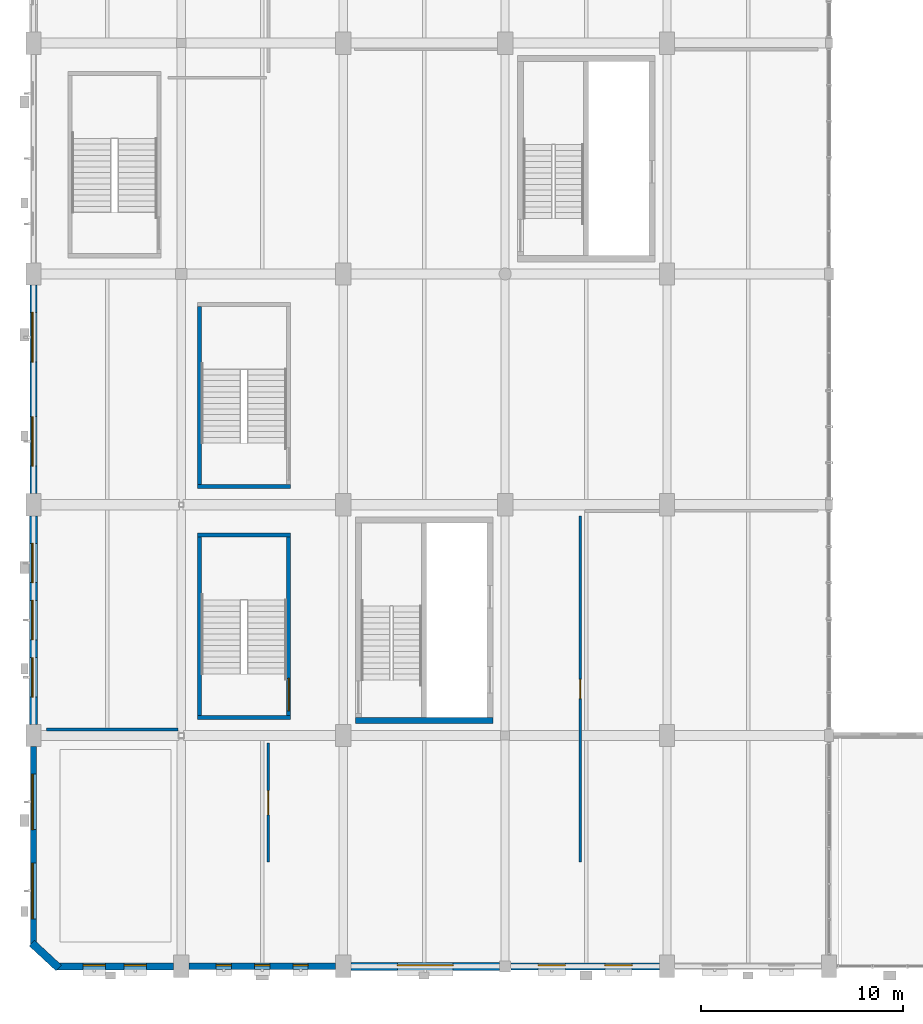
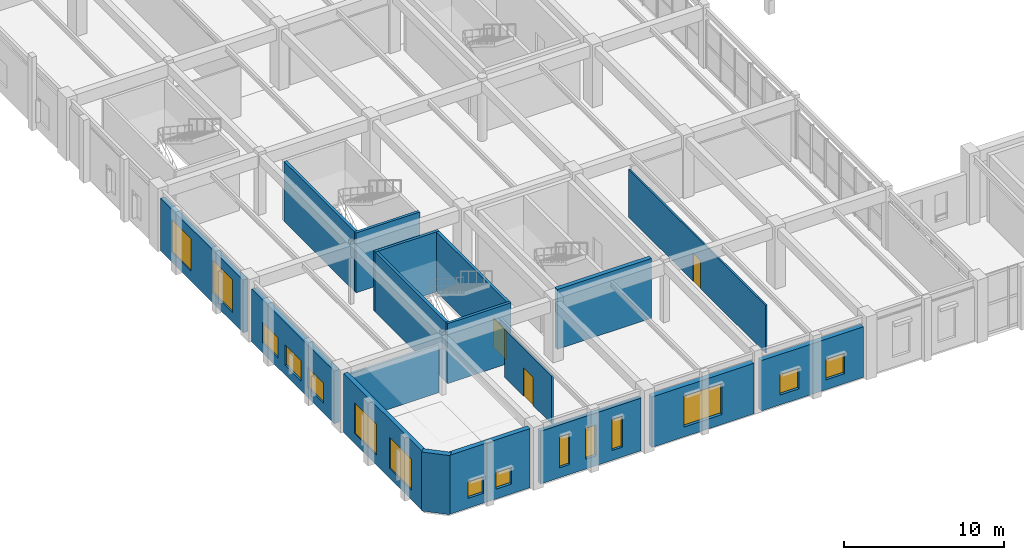
# One storey, part 79 of 106: 18 walls, 15 windows, 3 doors, 18 openings.
"""IFC4 building model written with IfcOpenShell, lengths in metres."""

from ifc_helpers import new_model, si_unit, direction, frame, frame_2d, origin, place, context, subcontext, project, spatial, rectangle, extrude, material, layer, layer_set, type_object, element, fill, save


model = new_model("IFC4")

# Units and contexts
model_context = context("Model", 3, precision=1e-05, world=origin(), true_north=direction((0.0, 1.0)))
body_context = subcontext(model_context, "Body", "Model", "MODEL_VIEW")
ifc_project = project(units=[si_unit("LENGTHUNIT", "METRE"), si_unit("AREAUNIT", "SQUARE_METRE"), si_unit("VOLUMEUNIT", "CUBIC_METRE"), si_unit("PLANEANGLEUNIT", "RADIAN"), si_unit("MASSUNIT", "GRAM", prefix="KILO"), si_unit("POWERUNIT", "WATT"), si_unit("THERMODYNAMICTEMPERATUREUNIT", "KELVIN")], contexts=[model_context])

# Site, building, storey
site_placement = place(None, origin())
site = spatial("IfcSite", under=ifc_project, at=site_placement, CompositionType="ELEMENT")
building_placement = place(site_placement, origin())
building = spatial("IfcBuilding", under=site, at=building_placement, Name="Kelmbourne Parkland Aquatics Centre", CompositionType="ELEMENT")
storey_placement = place(building_placement, frame((0.0, 0.0, 5.39990234375)))
storey = spatial("IfcBuildingStorey", under=building, at=storey_placement, Name="L01", CompositionType="ELEMENT", Elevation=5.39990234375)

# Wall
ifc_material_1 = material(Name="Concrete C40/50", Category="concrete")
ifc_layer_1 = layer(ifc_material_1, 0.300048828125)
ifc_layer_set_1 = layer_set([ifc_layer_1], Name="Concrete C40/50")
wall_type_1 = type_object("IfcWallType", Name="W-CORE-300", PredefinedType="SHEAR", material=ifc_layer_set_1)
wall_1_placement = place(storey_placement, frame((16.60009765625, 12.949951171875, 0.0), z_axis=(0.0, 0.0, 1.0), x_axis=(1.0, 0.0, 0.0)))
element("IfcWall", 1, at=wall_1_placement, inside=storey, type_object=wall_type_1, Name="West Wing South Fire-Fighting Core south wall (L01)", PredefinedType="SHEAR", context=body_context, shape_type="SweptSolid", body=[
    extrude(rectangle(XDim=6.7998046875, YDim=0.300048828125, at=frame_2d((3.39990234375, 0.0))), origin(), (0.0, 0.0, 1.0), 4.56005859375),
])

# Wall, openings, windows
ifc_material_2 = material(Name="Russet clinker clay brickwork", Category="masonry")
ifc_layer_2 = layer(ifc_material_2, 0.31005859375)
ifc_layer_set_2 = layer_set([ifc_layer_2], Name="Russet clinker clay brickwork")
wall_type_2 = type_object("IfcWallType", Name="W-EXT-310", PredefinedType="STANDARD", material=ifc_layer_set_2)
wall_2_placement = place(storey_placement, frame((0.699951171875, 1.800048828125, 0.0), z_axis=(0.0, 0.0, 1.0), x_axis=(0.0, 1.0, 0.0)))
wall_2 = element("IfcWall", 2, at=wall_2_placement, inside=storey, type_object=wall_type_2, Name="Exterior polychrome brick wall EW-L01-056", PredefinedType="STANDARD", context=body_context, shape_type="SweptSolid", body=[
    extrude(rectangle(XDim=9.847900390625, YDim=0.31005859375, at=frame_2d((4.923828125, 0.0))), origin(), (0.0, 0.0, 1.0), 4.5),
])
opening_1_placement = place(wall_2_placement, frame((1.35009765625, 0.0, 0.75)))
opening_1 = element("IfcOpeningElement", 3, at=opening_1_placement, cuts=wall_2, Name="Opening W20", PredefinedType="OPENING", context=body_context, shape_type="SweptSolid", body=[
    extrude(rectangle(XDim=2.75, YDim=2.35009765625, at=frame_2d((1.375, 1.175048828125))), frame((0.0, 0.1669921875, 0.0), z_axis=(0.0, -1.0, 0.0), x_axis=(1.0, 0.0, 0.0)), (0.0, 0.0, 1.0), 0.333984375),
])
opening_2_placement = place(wall_2_placement, frame((5.748046875, 0.0, 0.75)))
opening_2 = element("IfcOpeningElement", 4, at=opening_2_placement, cuts=wall_2, Name="Opening W20", PredefinedType="OPENING", context=body_context, shape_type="SweptSolid", body=[
    extrude(rectangle(XDim=2.75, YDim=2.35009765625, at=frame_2d((1.375, 1.175048828125))), frame((0.0, 0.1669921875, 0.0), z_axis=(0.0, -1.0, 0.0), x_axis=(1.0, 0.0, 0.0)), (0.0, 0.0, 1.0), 0.333984375),
])
ifc_material_3 = material(Name="Thermally broken anodised aluminium window with low-e glass", Category="aluminium")
ifc_layer_3 = layer(ifc_material_3, 0.090087890625)
ifc_layer_set_3 = layer_set([ifc_layer_3], Name="Thermally broken anodised aluminium window with low-e glass")
window_type_1 = type_object("IfcWindowType", Name="WN-20", PartitioningType="TRIPLE_PANEL_VERTICAL", PredefinedType="WINDOW", material=ifc_layer_set_3)
window_1_placement = place(opening_1_placement, origin())
window_1 = element("IfcWindow", 5, at=window_1_placement, inside=storey, type_object=window_type_1, Name="Deep-reveal masonry window W20", OverallHeight=2.35009765625, OverallWidth=2.75, PartitioningType="TRIPLE_PANEL_VERTICAL", PredefinedType="WINDOW", context=body_context, shape_type="SweptSolid", body=[
    extrude(rectangle(XDim=2.75, YDim=2.35009765625, at=frame_2d((1.375, 1.175048828125))), frame((0.0, 0.080078125, 0.0), z_axis=(0.0, -1.0, 0.0), x_axis=(1.0, 0.0, 0.0)), (0.0, 0.0, 1.0), 0.06005859375),
])
fill(opening_1, window_1)
window_2_placement = place(opening_2_placement, origin())
window_2 = element("IfcWindow", 6, at=window_2_placement, inside=storey, type_object=window_type_1, Name="Deep-reveal masonry window W20", OverallHeight=2.35009765625, OverallWidth=2.75, PartitioningType="TRIPLE_PANEL_VERTICAL", PredefinedType="WINDOW", context=body_context, shape_type="SweptSolid", body=[
    extrude(rectangle(XDim=2.75, YDim=2.35009765625, at=frame_2d((1.375, 1.175048828125))), frame((0.0, 0.080078125, 0.0), z_axis=(0.0, -1.0, 0.0), x_axis=(1.0, 0.0, 0.0)), (0.0, 0.0, 1.0), 0.06005859375),
])
fill(opening_2, window_2)

wall_3_placement = place(storey_placement, frame((8.376953125, 0.800048828125, 0.0), z_axis=(0.0, 0.0, 1.0), x_axis=(1.0, 0.0, 0.0)))
wall_3 = element("IfcWall", 7, at=wall_3_placement, inside=storey, type_object=wall_type_2, Name="Exterior polychrome brick wall EW-L01-065", PredefinedType="STANDARD", context=body_context, shape_type="SweptSolid", body=[
    extrude(rectangle(XDim=7.24609375, YDim=0.31005859375, at=frame_2d((3.623046875, 0.0))), origin(), (0.0, 0.0, 1.0), 4.01220703125),
])
opening_3_placement = place(wall_3_placement, frame((1.35009765625, 0.0, 0.75)))
opening_3 = element("IfcOpeningElement", 8, at=opening_3_placement, cuts=wall_3, Name="Opening W16", PredefinedType="OPENING", context=body_context, shape_type="SweptSolid", body=[
    extrude(rectangle(XDim=0.75, YDim=2.35009765625, at=frame_2d((0.375, 1.175048828125))), frame((0.0, 0.1669921875, 0.0), z_axis=(0.0, -1.0, 0.0), x_axis=(1.0, 0.0, 0.0)), (0.0, 0.0, 1.0), 0.333984375),
])
opening_4_placement = place(wall_3_placement, frame((3.248046875, 0.0, 0.75)))
opening_4 = element("IfcOpeningElement", 9, at=opening_4_placement, cuts=wall_3, Name="Opening W16", PredefinedType="OPENING", context=body_context, shape_type="SweptSolid", body=[
    extrude(rectangle(XDim=0.75, YDim=2.35009765625, at=frame_2d((0.375, 1.175048828125))), frame((0.0, 0.1669921875, 0.0), z_axis=(0.0, -1.0, 0.0), x_axis=(1.0, 0.0, 0.0)), (0.0, 0.0, 1.0), 0.333984375),
])
opening_5_placement = place(wall_3_placement, frame((5.14599609375, 0.0, 0.75)))
opening_5 = element("IfcOpeningElement", 10, at=opening_5_placement, cuts=wall_3, Name="Opening W16", PredefinedType="OPENING", context=body_context, shape_type="SweptSolid", body=[
    extrude(rectangle(XDim=0.75, YDim=2.35009765625, at=frame_2d((0.375, 1.175048828125))), frame((0.0, 0.1669921875, 0.0), z_axis=(0.0, -1.0, 0.0), x_axis=(1.0, 0.0, 0.0)), (0.0, 0.0, 1.0), 0.333984375),
])
ifc_layer_4 = layer(ifc_material_3, 0.090087890625)
ifc_layer_set_4 = layer_set([ifc_layer_4], Name="Thermally broken anodised aluminium window with low-e glass")
window_type_2 = type_object("IfcWindowType", Name="WN-16", PartitioningType="SINGLE_PANEL", PredefinedType="WINDOW", material=ifc_layer_set_4)
window_3_placement = place(opening_3_placement, origin())
window_3 = element("IfcWindow", 11, at=window_3_placement, inside=storey, type_object=window_type_2, Name="Deep-reveal masonry window W16", OverallHeight=2.35009765625, OverallWidth=0.75, PartitioningType="SINGLE_PANEL", PredefinedType="WINDOW", context=body_context, shape_type="SweptSolid", body=[
    extrude(rectangle(XDim=0.75, YDim=2.35009765625, at=frame_2d((0.375, 1.175048828125))), frame((0.0, 0.080078125, 0.0), z_axis=(0.0, -1.0, 0.0), x_axis=(1.0, 0.0, 0.0)), (0.0, 0.0, 1.0), 0.06005859375),
])
fill(opening_3, window_3)
window_4_placement = place(opening_4_placement, origin())
window_4 = element("IfcWindow", 12, at=window_4_placement, inside=storey, type_object=window_type_2, Name="Deep-reveal masonry window W16", OverallHeight=2.35009765625, OverallWidth=0.75, PartitioningType="SINGLE_PANEL", PredefinedType="WINDOW", context=body_context, shape_type="SweptSolid", body=[
    extrude(rectangle(XDim=0.75, YDim=2.35009765625, at=frame_2d((0.375, 1.175048828125))), frame((0.0, 0.080078125, 0.0), z_axis=(0.0, -1.0, 0.0), x_axis=(1.0, 0.0, 0.0)), (0.0, 0.0, 1.0), 0.06005859375),
])
fill(opening_4, window_4)
window_5_placement = place(opening_5_placement, origin())
window_5 = element("IfcWindow", 13, at=window_5_placement, inside=storey, type_object=window_type_2, Name="Deep-reveal masonry window W16", OverallHeight=2.35009765625, OverallWidth=0.75, PartitioningType="SINGLE_PANEL", PredefinedType="WINDOW", context=body_context, shape_type="SweptSolid", body=[
    extrude(rectangle(XDim=0.75, YDim=2.35009765625, at=frame_2d((0.375, 1.175048828125))), frame((0.0, 0.080078125, 0.0), z_axis=(0.0, -1.0, 0.0), x_axis=(1.0, 0.0, 0.0)), (0.0, 0.0, 1.0), 0.06005859375),
])
fill(opening_5, window_5)

ifc_material_4 = material(Name="Polychrome glazed brick header coursework", Category="masonry")
ifc_layer_5 = layer(ifc_material_4, 0.35009765625)
ifc_layer_set_5 = layer_set([ifc_layer_5], Name="Polychrome glazed brick header coursework")
wall_type_3 = type_object("IfcWallType", Name="W-EXT-350", PredefinedType="STANDARD", material=ifc_layer_set_5)
wall_4_placement = place(storey_placement, frame((0.699951171875, 24.152099609375, 0.0), z_axis=(0.0, 0.0, 1.0), x_axis=(0.0, 1.0, 0.0)))
wall_4 = element("IfcWall", 14, at=wall_4_placement, inside=storey, type_object=wall_type_3, Name="Exterior polychrome brick wall EW-L01-058", PredefinedType="STANDARD", context=body_context, shape_type="SweptSolid", body=[
    extrude(rectangle(XDim=10.2958984375, YDim=0.35009765625, at=frame_2d((5.14794921875, 0.0))), origin(), (0.0, 0.0, 1.0), 4.01220703125),
])
opening_6_placement = place(wall_4_placement, frame((1.35009765625, 0.0, 0.75)))
opening_6 = element("IfcOpeningElement", 15, at=opening_6_placement, cuts=wall_4, Name="Opening W27", PredefinedType="OPENING", context=body_context, shape_type="SweptSolid", body=[
    extrude(rectangle(XDim=2.449951171875, YDim=2.5, at=frame_2d((1.22509765625, 1.25))), frame((0.0, 0.18701171875, 0.0), z_axis=(0.0, -1.0, 0.0), x_axis=(1.0, 0.0, 0.0)), (0.0, 0.0, 1.0), 0.3740234375),
])
opening_7_placement = place(wall_4_placement, frame((6.49609375, 0.0, 0.75)))
opening_7 = element("IfcOpeningElement", 16, at=opening_7_placement, cuts=wall_4, Name="Opening W27", PredefinedType="OPENING", context=body_context, shape_type="SweptSolid", body=[
    extrude(rectangle(XDim=2.449951171875, YDim=2.5, at=frame_2d((1.22509765625, 1.25))), frame((0.0, 0.18701171875, 0.0), z_axis=(0.0, -1.0, 0.0), x_axis=(1.0, 0.0, 0.0)), (0.0, 0.0, 1.0), 0.3740234375),
])
ifc_layer_6 = layer(ifc_material_3, 0.090087890625)
ifc_layer_set_6 = layer_set([ifc_layer_6], Name="Thermally broken anodised aluminium window with low-e glass")
window_type_3 = type_object("IfcWindowType", Name="WN-27", PartitioningType="TRIPLE_PANEL_VERTICAL", PredefinedType="WINDOW", material=ifc_layer_set_6)
window_6_placement = place(opening_6_placement, origin())
window_6 = element("IfcWindow", 17, at=window_6_placement, inside=storey, type_object=window_type_3, Name="Deep-reveal masonry window W27", OverallHeight=2.5, OverallWidth=2.449951171875, PartitioningType="TRIPLE_PANEL_VERTICAL", PredefinedType="WINDOW", context=body_context, shape_type="SweptSolid", body=[
    extrude(rectangle(XDim=2.449951171875, YDim=2.5, at=frame_2d((1.22509765625, 1.25))), frame((0.0, 0.080078125, 0.0), z_axis=(0.0, -1.0, 0.0), x_axis=(1.0, 0.0, 0.0)), (0.0, 0.0, 1.0), 0.06005859375),
])
fill(opening_6, window_6)
window_7_placement = place(opening_7_placement, origin())
window_7 = element("IfcWindow", 18, at=window_7_placement, inside=storey, type_object=window_type_3, Name="Deep-reveal masonry window W27", OverallHeight=2.5, OverallWidth=2.449951171875, PartitioningType="TRIPLE_PANEL_VERTICAL", PredefinedType="WINDOW", context=body_context, shape_type="SweptSolid", body=[
    extrude(rectangle(XDim=2.449951171875, YDim=2.5, at=frame_2d((1.22509765625, 1.25))), frame((0.0, 0.080078125, 0.0), z_axis=(0.0, -1.0, 0.0), x_axis=(1.0, 0.0, 0.0)), (0.0, 0.0, 1.0), 0.06005859375),
])
fill(opening_7, window_7)

wall_5_placement = place(storey_placement, frame((1.800048828125, 0.800048828125, 0.0), z_axis=(0.0, 0.0, 1.0), x_axis=(1.0, 0.0, 0.0)))
wall_5 = element("IfcWall", 19, at=wall_5_placement, inside=storey, type_object=wall_type_3, Name="Exterior polychrome brick wall EW-L01-064", PredefinedType="STANDARD", context=body_context, shape_type="SweptSolid", body=[
    extrude(rectangle(XDim=5.822998046875, YDim=0.35009765625, at=frame_2d((2.91162109375, 0.0))), origin(), (0.0, 0.0, 1.0), 4.5),
])
opening_8_placement = place(wall_5_placement, frame((1.35009765625, 0.0, 0.75)))
opening_8 = element("IfcOpeningElement", 20, at=opening_8_placement, cuts=wall_5, Name="Opening W13", PredefinedType="OPENING", context=body_context, shape_type="SweptSolid", body=[
    extrude(rectangle(XDim=1.10009765625, YDim=1.25, at=frame_2d((0.550048828125, 0.625))), frame((0.0, 0.18701171875, 0.0), z_axis=(0.0, -1.0, 0.0), x_axis=(1.0, 0.0, 0.0)), (0.0, 0.0, 1.0), 0.3740234375),
])
opening_9_placement = place(wall_5_placement, frame((3.373046875, 0.0, 0.75)))
opening_9 = element("IfcOpeningElement", 21, at=opening_9_placement, cuts=wall_5, Name="Opening W13", PredefinedType="OPENING", context=body_context, shape_type="SweptSolid", body=[
    extrude(rectangle(XDim=1.10009765625, YDim=1.25, at=frame_2d((0.550048828125, 0.625))), frame((0.0, 0.18701171875, 0.0), z_axis=(0.0, -1.0, 0.0), x_axis=(1.0, 0.0, 0.0)), (0.0, 0.0, 1.0), 0.3740234375),
])
ifc_layer_7 = layer(ifc_material_3, 0.090087890625)
ifc_layer_set_7 = layer_set([ifc_layer_7], Name="Thermally broken anodised aluminium window with low-e glass")
window_type_4 = type_object("IfcWindowType", Name="WN-13", PartitioningType="SINGLE_PANEL", PredefinedType="WINDOW", material=ifc_layer_set_7)
window_8_placement = place(opening_8_placement, origin())
window_8 = element("IfcWindow", 22, at=window_8_placement, inside=storey, type_object=window_type_4, Name="Deep-reveal masonry window W13", OverallHeight=1.25, OverallWidth=1.10009765625, PartitioningType="SINGLE_PANEL", PredefinedType="WINDOW", context=body_context, shape_type="SweptSolid", body=[
    extrude(rectangle(XDim=1.10009765625, YDim=1.25, at=frame_2d((0.550048828125, 0.625))), frame((0.0, 0.080078125, 0.0), z_axis=(0.0, -1.0, 0.0), x_axis=(1.0, 0.0, 0.0)), (0.0, 0.0, 1.0), 0.06005859375),
])
fill(opening_8, window_8)
window_9_placement = place(opening_9_placement, origin())
window_9 = element("IfcWindow", 23, at=window_9_placement, inside=storey, type_object=window_type_4, Name="Deep-reveal masonry window W13", OverallHeight=1.25, OverallWidth=1.10009765625, PartitioningType="SINGLE_PANEL", PredefinedType="WINDOW", context=body_context, shape_type="SweptSolid", body=[
    extrude(rectangle(XDim=1.10009765625, YDim=1.25, at=frame_2d((0.550048828125, 0.625))), frame((0.0, 0.080078125, 0.0), z_axis=(0.0, -1.0, 0.0), x_axis=(1.0, 0.0, 0.0)), (0.0, 0.0, 1.0), 0.06005859375),
])
fill(opening_9, window_9)

wall_6_placement = place(storey_placement, frame((24.277099609375, 0.800048828125, 0.0), z_axis=(0.0, 0.0, 1.0), x_axis=(1.0, 0.0, 0.0)))
wall_6 = element("IfcWall", 24, at=wall_6_placement, inside=storey, type_object=wall_type_3, Name="Exterior polychrome brick wall EW-L01-067", PredefinedType="STANDARD", context=body_context, shape_type="SweptSolid", body=[
    extrude(rectangle(XDim=7.345947265625, YDim=0.35009765625, at=frame_2d((3.6728515625, 0.0))), origin(), (0.0, 0.0, 1.0), 3.84521484375),
])
opening_10_placement = place(wall_6_placement, frame((1.35009765625, 0.0, 0.75)))
opening_10 = element("IfcOpeningElement", 25, at=opening_10_placement, cuts=wall_6, Name="Opening W22", PredefinedType="OPENING", context=body_context, shape_type="SweptSolid", body=[
    extrude(rectangle(XDim=1.35009765625, YDim=1.550048828125, at=frame_2d((0.675048828125, 0.77490234375))), frame((0.0, 0.18701171875, 0.0), z_axis=(0.0, -1.0, 0.0), x_axis=(1.0, 0.0, 0.0)), (0.0, 0.0, 1.0), 0.3740234375),
])
opening_11_placement = place(wall_6_placement, frame((4.64599609375, 0.0, 0.75)))
opening_11 = element("IfcOpeningElement", 26, at=opening_11_placement, cuts=wall_6, Name="Opening W22", PredefinedType="OPENING", context=body_context, shape_type="SweptSolid", body=[
    extrude(rectangle(XDim=1.35009765625, YDim=1.550048828125, at=frame_2d((0.675048828125, 0.77490234375))), frame((0.0, 0.18701171875, 0.0), z_axis=(0.0, -1.0, 0.0), x_axis=(1.0, 0.0, 0.0)), (0.0, 0.0, 1.0), 0.3740234375),
])
ifc_layer_8 = layer(ifc_material_3, 0.090087890625)
ifc_layer_set_8 = layer_set([ifc_layer_8], Name="Thermally broken anodised aluminium window with low-e glass")
window_type_5 = type_object("IfcWindowType", Name="WN-22", PartitioningType="DOUBLE_PANEL_VERTICAL", PredefinedType="WINDOW", material=ifc_layer_set_8)
window_10_placement = place(opening_10_placement, origin())
window_10 = element("IfcWindow", 27, at=window_10_placement, inside=storey, type_object=window_type_5, Name="Deep-reveal masonry window W22", OverallHeight=1.550048828125, OverallWidth=1.35009765625, PartitioningType="DOUBLE_PANEL_VERTICAL", PredefinedType="WINDOW", context=body_context, shape_type="SweptSolid", body=[
    extrude(rectangle(XDim=1.35009765625, YDim=1.550048828125, at=frame_2d((0.675048828125, 0.77490234375))), frame((0.0, 0.080078125, 0.0), z_axis=(0.0, -1.0, 0.0), x_axis=(1.0, 0.0, 0.0)), (0.0, 0.0, 1.0), 0.06005859375),
])
fill(opening_10, window_10)
window_11_placement = place(opening_11_placement, origin())
window_11 = element("IfcWindow", 28, at=window_11_placement, inside=storey, type_object=window_type_5, Name="Deep-reveal masonry window W22", OverallHeight=1.550048828125, OverallWidth=1.35009765625, PartitioningType="DOUBLE_PANEL_VERTICAL", PredefinedType="WINDOW", context=body_context, shape_type="SweptSolid", body=[
    extrude(rectangle(XDim=1.35009765625, YDim=1.550048828125, at=frame_2d((0.675048828125, 0.77490234375))), frame((0.0, 0.080078125, 0.0), z_axis=(0.0, -1.0, 0.0), x_axis=(1.0, 0.0, 0.0)), (0.0, 0.0, 1.0), 0.06005859375),
])
fill(opening_11, window_11)

ifc_layer_9 = layer(ifc_material_2, 0.389892578125)
ifc_layer_set_9 = layer_set([ifc_layer_9], Name="Russet clinker clay brickwork")
wall_type_4 = type_object("IfcWallType", Name="W-EXT-390", PredefinedType="STANDARD", material=ifc_layer_set_9)
wall_7_placement = place(storey_placement, frame((0.699951171875, 12.751953125, 0.0), z_axis=(0.0, 0.0, 1.0), x_axis=(0.0, 1.0, 0.0)))
wall_7 = element("IfcWall", 29, at=wall_7_placement, inside=storey, type_object=wall_type_4, Name="Exterior polychrome brick wall EW-L01-057", PredefinedType="STANDARD", context=body_context, shape_type="SweptSolid", body=[
    extrude(rectangle(XDim=10.296142578125, YDim=0.389892578125, at=frame_2d((5.14794921875, 0.0))), origin(), (0.0, 0.0, 1.0), 4.01220703125),
])
opening_12_placement = place(wall_7_placement, frame((1.35009765625, 0.0, 0.75)))
opening_12 = element("IfcOpeningElement", 30, at=opening_12_placement, cuts=wall_7, Name="Opening W23", PredefinedType="OPENING", context=body_context, shape_type="SweptSolid", body=[
    extrude(rectangle(XDim=1.949951171875, YDim=1.550048828125, at=frame_2d((0.97509765625, 0.77490234375))), frame((0.0, 0.20703125, 0.0), z_axis=(0.0, -1.0, 0.0), x_axis=(1.0, 0.0, 0.0)), (0.0, 0.0, 1.0), 0.413818359375),
])
opening_13_placement = place(wall_7_placement, frame((4.173095703125, 0.0, 0.75)))
opening_13 = element("IfcOpeningElement", 31, at=opening_13_placement, cuts=wall_7, Name="Opening W23", PredefinedType="OPENING", context=body_context, shape_type="SweptSolid", body=[
    extrude(rectangle(XDim=1.949951171875, YDim=1.550048828125, at=frame_2d((0.97509765625, 0.77490234375))), frame((0.0, 0.20703125, 0.0), z_axis=(0.0, -1.0, 0.0), x_axis=(1.0, 0.0, 0.0)), (0.0, 0.0, 1.0), 0.413818359375),
])
opening_14_placement = place(wall_7_placement, frame((6.99609375, 0.0, 0.75)))
opening_14 = element("IfcOpeningElement", 32, at=opening_14_placement, cuts=wall_7, Name="Opening W23", PredefinedType="OPENING", context=body_context, shape_type="SweptSolid", body=[
    extrude(rectangle(XDim=1.949951171875, YDim=1.550048828125, at=frame_2d((0.97509765625, 0.77490234375))), frame((0.0, 0.20703125, 0.0), z_axis=(0.0, -1.0, 0.0), x_axis=(1.0, 0.0, 0.0)), (0.0, 0.0, 1.0), 0.413818359375),
])
ifc_layer_10 = layer(ifc_material_3, 0.090087890625)
ifc_layer_set_10 = layer_set([ifc_layer_10], Name="Thermally broken anodised aluminium window with low-e glass")
window_type_6 = type_object("IfcWindowType", Name="WN-23", PartitioningType="DOUBLE_PANEL_VERTICAL", PredefinedType="WINDOW", material=ifc_layer_set_10)
window_12_placement = place(opening_12_placement, origin())
window_12 = element("IfcWindow", 33, at=window_12_placement, inside=storey, type_object=window_type_6, Name="Deep-reveal masonry window W23", OverallHeight=1.550048828125, OverallWidth=1.949951171875, PartitioningType="DOUBLE_PANEL_VERTICAL", PredefinedType="WINDOW", context=body_context, shape_type="SweptSolid", body=[
    extrude(rectangle(XDim=1.949951171875, YDim=1.550048828125, at=frame_2d((0.97509765625, 0.77490234375))), frame((0.0, 0.080078125, 0.0), z_axis=(0.0, -1.0, 0.0), x_axis=(1.0, 0.0, 0.0)), (0.0, 0.0, 1.0), 0.06005859375),
])
fill(opening_12, window_12)
window_13_placement = place(opening_13_placement, origin())
window_13 = element("IfcWindow", 34, at=window_13_placement, inside=storey, type_object=window_type_6, Name="Deep-reveal masonry window W23", OverallHeight=1.550048828125, OverallWidth=1.949951171875, PartitioningType="DOUBLE_PANEL_VERTICAL", PredefinedType="WINDOW", context=body_context, shape_type="SweptSolid", body=[
    extrude(rectangle(XDim=1.949951171875, YDim=1.550048828125, at=frame_2d((0.97509765625, 0.77490234375))), frame((0.0, 0.080078125, 0.0), z_axis=(0.0, -1.0, 0.0), x_axis=(1.0, 0.0, 0.0)), (0.0, 0.0, 1.0), 0.06005859375),
])
fill(opening_13, window_13)
window_14_placement = place(opening_14_placement, origin())
window_14 = element("IfcWindow", 35, at=window_14_placement, inside=storey, type_object=window_type_6, Name="Deep-reveal masonry window W23", OverallHeight=1.550048828125, OverallWidth=1.949951171875, PartitioningType="DOUBLE_PANEL_VERTICAL", PredefinedType="WINDOW", context=body_context, shape_type="SweptSolid", body=[
    extrude(rectangle(XDim=1.949951171875, YDim=1.550048828125, at=frame_2d((0.97509765625, 0.77490234375))), frame((0.0, 0.080078125, 0.0), z_axis=(0.0, -1.0, 0.0), x_axis=(1.0, 0.0, 0.0)), (0.0, 0.0, 1.0), 0.06005859375),
])
fill(opening_14, window_14)

# Wall, opening, window
wall_8_placement = place(storey_placement, frame((16.376953125, 0.800048828125, 0.0), z_axis=(0.0, 0.0, 1.0), x_axis=(1.0, 0.0, 0.0)))
wall_8 = element("IfcWall", 36, at=wall_8_placement, inside=storey, type_object=wall_type_4, Name="Exterior polychrome brick wall EW-L01-066", PredefinedType="STANDARD", context=body_context, shape_type="SweptSolid", body=[
    extrude(rectangle(XDim=7.345947265625, YDim=0.389892578125, at=frame_2d((3.6728515625, 0.0))), origin(), (0.0, 0.0, 1.0), 3.84521484375),
])
opening_15_placement = place(wall_8_placement, frame((2.298095703125, 0.0, 0.75)))
opening_15 = element("IfcOpeningElement", 37, at=opening_15_placement, cuts=wall_8, Name="Opening W20", PredefinedType="OPENING", context=body_context, shape_type="SweptSolid", body=[
    extrude(rectangle(XDim=2.75, YDim=2.35009765625, at=frame_2d((1.375, 1.175048828125))), frame((0.0, 0.20703125, 0.0), z_axis=(0.0, -1.0, 0.0), x_axis=(1.0, 0.0, 0.0)), (0.0, 0.0, 1.0), 0.413818359375),
])
window_15_placement = place(opening_15_placement, origin())
window_15 = element("IfcWindow", 38, at=window_15_placement, inside=storey, type_object=window_type_1, Name="Deep-reveal masonry window W20", OverallHeight=2.35009765625, OverallWidth=2.75, PartitioningType="TRIPLE_PANEL_VERTICAL", PredefinedType="WINDOW", context=body_context, shape_type="SweptSolid", body=[
    extrude(rectangle(XDim=2.75, YDim=2.35009765625, at=frame_2d((1.375, 1.175048828125))), frame((0.0, 0.080078125, 0.0), z_axis=(0.0, -1.0, 0.0), x_axis=(1.0, 0.0, 0.0)), (0.0, 0.0, 1.0), 0.06005859375),
])
fill(opening_15, window_15)

# Walls
wall_9_placement = place(storey_placement, frame((0.6201171875, 1.949951171875, 0.0), z_axis=(0.0, 0.0, 1.0), x_axis=(0.734131351327, -0.679007480812, 0.0)))
element("IfcWall", 39, at=wall_9_placement, inside=storey, type_object=wall_type_4, Name="Stepped brick corner bevel CHAM-L01-SW", PredefinedType="STANDARD", context=body_context, shape_type="SweptSolid", body=[
    extrude(rectangle(XDim=1.8115234375, YDim=0.389892578125, at=frame_2d((0.90576171875, 0.0))), origin(), (0.0, 0.0, 1.0), 4.5),
])
ifc_material_5 = material(Name="Concrete blockwork C32/40", Category="masonry")
ifc_layer_11 = layer(ifc_material_5, 0.199951171875)
ifc_layer_set_11 = layer_set([ifc_layer_11], Name="Concrete blockwork C32/40")
wall_type_5 = type_object("IfcWallType", Name="W-FIRE-200", PredefinedType="SOLIDWALL", material=ifc_layer_set_11)
for number, where, z_axis, x_axis, name in (
    (40, (8.800048828125, 13.10009765625, 0.0), (0.0, 0.0, 1.0), (1.0, 0.0, 0.0), "West South Perimeter Exit Stair south enclosure (L01)"),
    (41, (8.800048828125, 22.10009765625, 0.0), (0.0, 0.0, 1.0), (1.0, 0.0, 0.0), "West South Perimeter Exit Stair north enclosure (L01)"),
):
    element("IfcWall", number, at=place(storey_placement, frame(where, z_axis=z_axis, x_axis=x_axis)), inside=storey, type_object=wall_type_5, Name=name, PredefinedType="SOLIDWALL", context=body_context, shape_type="SweptSolid", body=[
        extrude(rectangle(XDim=4.599853515625, YDim=0.199951171875, at=frame_2d((2.2998046875, 0.0))), origin(), (0.0, 0.0, 1.0), 4.56005859375),
    ])
wall_10_placement = place(storey_placement, frame((8.89990234375, 13.199951171875, 0.0), z_axis=(0.0, 0.0, 1.0), x_axis=(0.0, 1.0, 0.0)))
element("IfcWall", 42, at=wall_10_placement, inside=storey, type_object=wall_type_5, Name="West South Perimeter Exit Stair west enclosure (L01)", PredefinedType="SOLIDWALL", context=body_context, shape_type="SweptSolid", body=[
    extrude(rectangle(XDim=8.800048828125, YDim=0.199951171875, at=frame_2d((4.39990234375, 0.0))), origin(), (0.0, 0.0, 1.0), 4.56005859375),
])

# Wall, opening, door
wall_11_placement = place(storey_placement, frame((13.300048828125, 13.199951171875, 0.0), z_axis=(0.0, 0.0, 1.0), x_axis=(0.0, 1.0, 0.0)))
wall_11 = element("IfcWall", 43, at=wall_11_placement, inside=storey, type_object=wall_type_5, Name="West South Perimeter Exit Stair east enclosure (L01)", PredefinedType="SOLIDWALL", context=body_context, shape_type="SweptSolid", body=[
    extrude(rectangle(XDim=8.800048828125, YDim=0.199951171875, at=frame_2d((4.39990234375, 0.0))), origin(), (0.0, 0.0, 1.0), 4.56005859375),
])
opening_16_placement = place(wall_11_placement, frame((0.219970703125, 0.0, 0.0)))
opening_16 = element("IfcOpeningElement", 44, at=opening_16_placement, cuts=wall_11, Name="Opening FD02", PredefinedType="OPENING", context=body_context, shape_type="SweptSolid", body=[
    extrude(rectangle(XDim=1.60009765625, YDim=2.199951171875, at=frame_2d((0.800048828125, 1.10009765625))), frame((0.0, 0.11181640625, 0.0), z_axis=(0.0, -1.0, 0.0), x_axis=(1.0, 0.0, 0.0)), (0.0, 0.0, 1.0), 0.223876953125),
])
ifc_material_6 = material(Name="Marine-grade stainless steel and fire-rated hardwood doorset", Category="steel")
ifc_layer_12 = layer(ifc_material_6, 0.050048828125)
ifc_layer_set_12 = layer_set([ifc_layer_12], Name="Marine-grade stainless steel and fire-rated hardwood doorset")
door_type_1 = type_object("IfcDoorType", Name="DR-FD-160", OperationType="NOTDEFINED", PredefinedType="DOOR", material=ifc_layer_set_12)
door_1_placement = place(opening_16_placement, frame((1.60009765625, 0.0, 0.0), z_axis=(0.0, 0.0, 1.0), x_axis=(-1.0, 0.0, 0.0)))
door_1 = element("IfcDoor", 45, at=door_1_placement, inside=storey, type_object=door_type_1, Name="Exit stair fire door ST06 (L01)", OperationType="DOUBLE_DOOR_SINGLE_SWING", OverallHeight=2.199951171875, OverallWidth=1.60009765625, PredefinedType="DOOR", context=body_context, shape_type="SweptSolid", body=[
    extrude(rectangle(XDim=1.60009765625, YDim=2.199951171875, at=frame_2d((0.800048828125, 1.10009765625))), frame((0.0, 0.02490234375, 0.0), z_axis=(0.0, -1.0, 0.0), x_axis=(1.0, 0.0, 0.0)), (0.0, 0.0, 1.0), 0.050048828125),
])
fill(opening_16, door_1)

# Walls
wall_12_placement = place(storey_placement, frame((8.800048828125, 24.5, 0.0), z_axis=(0.0, 0.0, 1.0), x_axis=(1.0, 0.0, 0.0)))
element("IfcWall", 46, at=wall_12_placement, inside=storey, type_object=wall_type_5, Name="West Central Park Exit Stair south enclosure (L01)", PredefinedType="SOLIDWALL", context=body_context, shape_type="SweptSolid", body=[
    extrude(rectangle(XDim=4.599853515625, YDim=0.199951171875, at=frame_2d((2.2998046875, 0.0))), origin(), (0.0, 0.0, 1.0), 4.56005859375),
])
wall_13_placement = place(storey_placement, frame((8.89990234375, 24.60009765625, 0.0), z_axis=(0.0, 0.0, 1.0), x_axis=(0.0, 1.0, 0.0)))
element("IfcWall", 47, at=wall_13_placement, inside=storey, type_object=wall_type_5, Name="West Central Park Exit Stair west enclosure (L01)", PredefinedType="SOLIDWALL", context=body_context, shape_type="SweptSolid", body=[
    extrude(rectangle(XDim=8.7998046875, YDim=0.199951171875, at=frame_2d((4.39990234375, 0.0))), origin(), (0.0, 0.0, 1.0), 4.56005859375),
])

# Wall, opening, door
ifc_material_7 = material(Name="Moisture-resistant acoustic stud partition", Category="gypsum")
ifc_layer_13 = layer(ifc_material_7, 0.1201171875)
ifc_layer_set_13 = layer_set([ifc_layer_13], Name="Moisture-resistant acoustic stud partition")
wall_type_6 = type_object("IfcWallType", Name="W-PART-120", PredefinedType="PARTITIONING", material=ifc_layer_set_13)
wall_14_placement = place(storey_placement, frame((12.300048828125, 5.949951171875, 0.0), z_axis=(0.0, 0.0, 1.0), x_axis=(0.0, 1.0, 0.0)))
wall_14 = element("IfcWall", 48, at=wall_14_placement, inside=storey, type_object=wall_type_6, Name="Interior partition PT-L01-063", PredefinedType="PARTITIONING", context=body_context, shape_type="SweptSolid", body=[
    extrude(rectangle(XDim=5.8701171875, YDim=0.1201171875, at=frame_2d((2.93505859375, 0.0))), origin(), (0.0, 0.0, 1.0), 3.64501953125),
])
opening_17_placement = place(wall_14_placement, frame((2.3349609375, 0.0, 0.0)))
opening_17 = element("IfcOpeningElement", 49, at=opening_17_placement, cuts=wall_14, Name="Opening ID03", PredefinedType="OPENING", context=body_context, shape_type="SweptSolid", body=[
    extrude(rectangle(XDim=1.199951171875, YDim=2.14990234375, at=frame_2d((0.60009765625, 1.074951171875))), frame((0.0, 0.072021484375, 0.0), z_axis=(0.0, -1.0, 0.0), x_axis=(1.0, 0.0, 0.0)), (0.0, 0.0, 1.0), 0.14404296875),
])
ifc_material_8 = material(Name="Marine-grade stainless steel and solid-core hardwood doorset", Category="timber")
ifc_layer_14 = layer(ifc_material_8, 0.050048828125)
ifc_layer_set_14 = layer_set([ifc_layer_14], Name="Marine-grade stainless steel and solid-core hardwood doorset")
door_type_2 = type_object("IfcDoorType", Name="DR-INT-120", OperationType="NOTDEFINED", PredefinedType="DOOR", material=ifc_layer_set_14)
door_2_placement = place(opening_17_placement, origin())
door_2 = element("IfcDoor", 50, at=door_2_placement, inside=storey, type_object=door_type_2, Name="Interior door ID03 (L01-038)", OperationType="SINGLE_SWING_LEFT", OverallHeight=2.14990234375, OverallWidth=1.199951171875, PredefinedType="DOOR", context=body_context, shape_type="SweptSolid", body=[
    extrude(rectangle(XDim=1.199951171875, YDim=2.14990234375, at=frame_2d((0.60009765625, 1.074951171875))), frame((0.0, 0.02490234375, 0.0), z_axis=(0.0, -1.0, 0.0), x_axis=(1.0, 0.0, 0.0)), (0.0, 0.0, 1.0), 0.050048828125),
])
fill(opening_17, door_2)

wall_15_placement = place(storey_placement, frame((27.699951171875, 5.949951171875, 0.0), z_axis=(0.0, 0.0, 1.0), x_axis=(0.0, 1.0, 0.0)))
wall_15 = element("IfcWall", 51, at=wall_15_placement, inside=storey, type_object=wall_type_6, Name="Interior partition PT-L01-065", PredefinedType="PARTITIONING", context=body_context, shape_type="SweptSolid", body=[
    extrude(rectangle(XDim=17.10009765625, YDim=0.1201171875, at=frame_2d((8.550048828125, 0.0))), origin(), (0.0, 0.0, 1.0), 3.64501953125),
])
opening_18_placement = place(wall_15_placement, frame((8.074951171875, 0.0, 0.0)))
opening_18 = element("IfcOpeningElement", 52, at=opening_18_placement, cuts=wall_15, Name="Opening ID05", PredefinedType="OPENING", context=body_context, shape_type="SweptSolid", body=[
    extrude(rectangle(XDim=0.949951171875, YDim=2.14990234375, at=frame_2d((0.47509765625, 1.074951171875))), frame((0.0, 0.072021484375, 0.0), z_axis=(0.0, -1.0, 0.0), x_axis=(1.0, 0.0, 0.0)), (0.0, 0.0, 1.0), 0.14404296875),
])
ifc_layer_15 = layer(ifc_material_8, 0.050048828125)
ifc_layer_set_15 = layer_set([ifc_layer_15], Name="Marine-grade stainless steel and solid-core hardwood doorset")
door_type_3 = type_object("IfcDoorType", Name="DR-INT-095", OperationType="NOTDEFINED", PredefinedType="DOOR", material=ifc_layer_set_15)
door_3_placement = place(opening_18_placement, origin())
door_3 = element("IfcDoor", 53, at=door_3_placement, inside=storey, type_object=door_type_3, Name="Interior door ID05 (L01-040)", OperationType="SINGLE_SWING_LEFT", OverallHeight=2.14990234375, OverallWidth=0.949951171875, PredefinedType="DOOR", context=body_context, shape_type="SweptSolid", body=[
    extrude(rectangle(XDim=0.949951171875, YDim=2.14990234375, at=frame_2d((0.47509765625, 1.074951171875))), frame((0.0, 0.02490234375, 0.0), z_axis=(0.0, -1.0, 0.0), x_axis=(1.0, 0.0, 0.0)), (0.0, 0.0, 1.0), 0.050048828125),
])
fill(opening_18, door_3)

# Wall
ifc_layer_16 = layer(ifc_material_7, 0.14990234375)
ifc_layer_set_16 = layer_set([ifc_layer_16], Name="Moisture-resistant acoustic stud partition")
wall_type_7 = type_object("IfcWallType", Name="W-PART-150", PredefinedType="PARTITIONING", material=ifc_layer_set_16)
wall_16_placement = place(storey_placement, frame((1.35009765625, 12.5, 0.0), z_axis=(0.0, 0.0, 1.0), x_axis=(1.0, 0.0, 0.0)))
element("IfcWall", 54, at=wall_16_placement, inside=storey, type_object=wall_type_7, Name="Interior partition PT-L01-066", PredefinedType="PARTITIONING", context=body_context, shape_type="SweptSolid", body=[
    extrude(rectangle(XDim=6.497802734375, YDim=0.14990234375, at=frame_2d((3.2490234375, 0.0))), origin(), (0.0, 0.0, 1.0), 3.64501953125),
])

save(model, "model.ifc")
